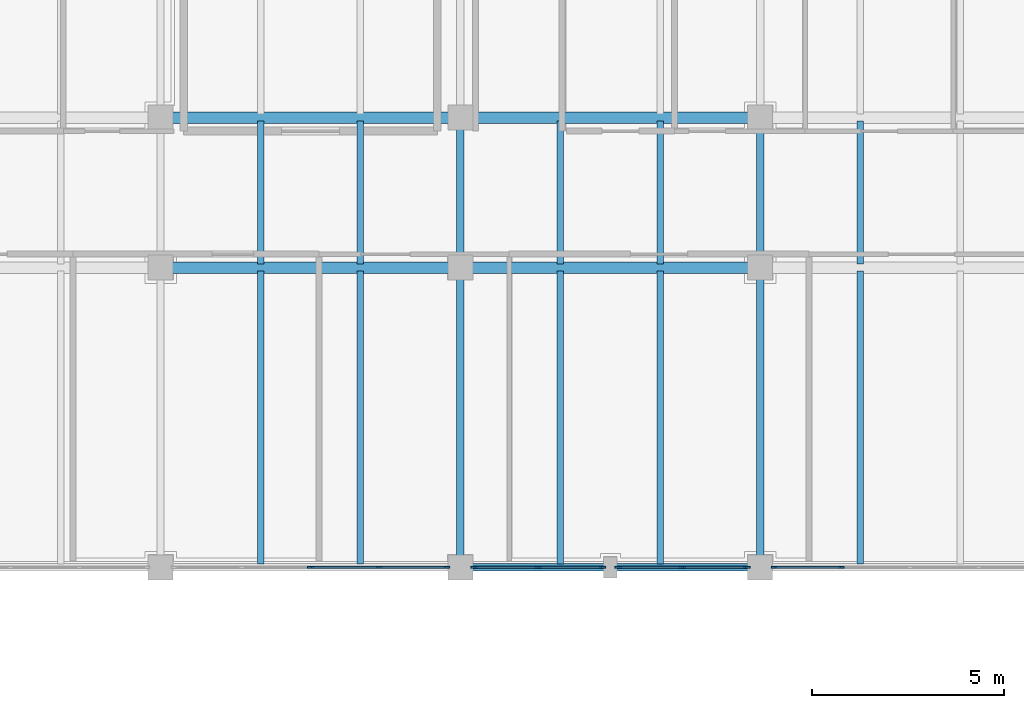
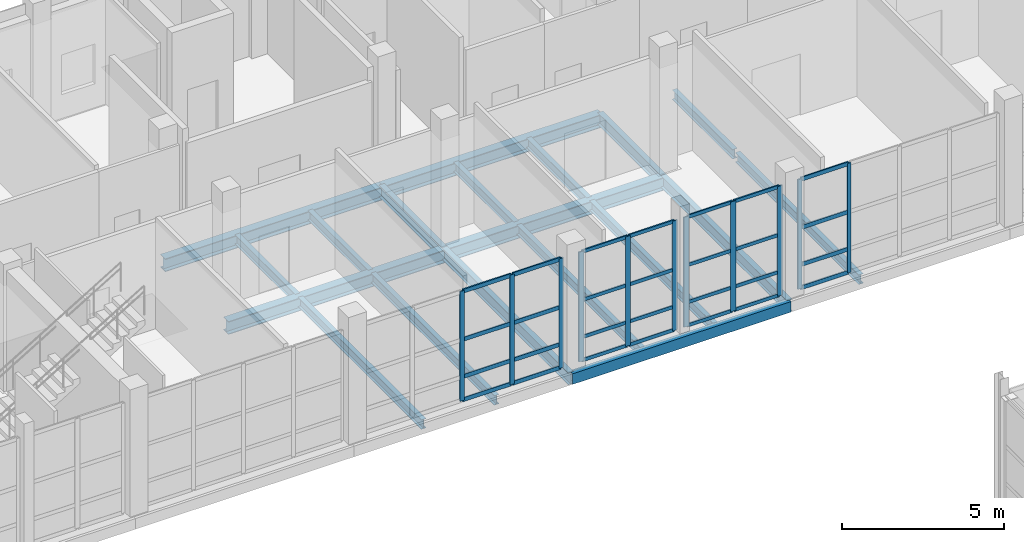
# One storey, part 57 of 131: 39 members, 19 beams, 4 elements without a shape of their own.
"""IFC4 building model written with IfcOpenShell, lengths in metres."""

from ifc_helpers import new_model, si_unit, direction, frame, origin, origin_2d, place, context, subcontext, project, spatial, rectangle, hollow_rectangle, i_section, extrude, material, layer, layer_set, material_profile, profile_set, type_object, element, aggregate, save


model = new_model("IFC4")

# Units and contexts
model_context = context("Model", 3, precision=1e-05, world=origin(), true_north=direction((0.0, 1.0)))
body_context = subcontext(model_context, "Body", "Model", "MODEL_VIEW")
ifc_project = project(units=[si_unit("LENGTHUNIT", "METRE"), si_unit("AREAUNIT", "SQUARE_METRE"), si_unit("VOLUMEUNIT", "CUBIC_METRE"), si_unit("PLANEANGLEUNIT", "RADIAN"), si_unit("MASSUNIT", "GRAM", prefix="KILO")], contexts=[model_context])

# Site, building, storey
site_placement = place(None, origin())
site = spatial("IfcSite", under=ifc_project, at=site_placement, CompositionType="ELEMENT")
building_placement = place(site_placement, origin())
building = spatial("IfcBuilding", under=site, at=building_placement, Name="Celorna Specialist Clinic", CompositionType="ELEMENT")
storey_placement = place(building_placement, origin())
storey = spatial("IfcBuildingStorey", under=building, at=storey_placement, Name="L00", CompositionType="ELEMENT", Elevation=0.0)

# Beams
ifc_material_1 = material(Name="Steel S355", Category="steel")
ifc_material_profile_1 = material_profile(ifc_material_1, i_section(OverallWidth=0.18994140625, OverallDepth=0.449951171875, WebThickness=0.009521484375, FlangeThickness=0.0146484375, at=origin_2d()), Name="IPE 450")
ifc_profile_set_1 = profile_set([ifc_material_profile_1], Name="Steel S355")
beam_type_1 = type_object("IfcBeamType", Name="BM-09", PredefinedType="BEAM", material=ifc_profile_set_1)
beam_1_placement = place(storey_placement, frame((117.0, 96.5, -0.52490234375), z_axis=(0.0, 1.0, 0.0), x_axis=(-1.0, 0.0, 0.0)))
element("IfcBeam", 1, at=beam_1_placement, inside=storey, type_object=beam_type_1, Name="Transverse girder BM-09 #757", PredefinedType="BEAM", context=body_context, shape_type="SweptSolid", body=[
    extrude(i_section(OverallWidth=0.18994140625, OverallDepth=0.449951171875, WebThickness=0.009521484375, FlangeThickness=0.0146484375, at=origin_2d()), origin(), (0.0, 0.0, 1.0), 7.800048828125),
])
beam_2_placement = place(storey_placement, frame((117.0, 104.300048828125, -0.52490234375), z_axis=(0.0, 1.0, 0.0), x_axis=(-1.0, 0.0, 0.0)))
element("IfcBeam", 2, at=beam_2_placement, inside=storey, type_object=beam_type_1, Name="Transverse girder BM-09 #758", PredefinedType="BEAM", context=body_context, shape_type="SweptSolid", body=[
    extrude(i_section(OverallWidth=0.18994140625, OverallDepth=0.449951171875, WebThickness=0.009521484375, FlangeThickness=0.0146484375, at=origin_2d()), origin(), (0.0, 0.0, 1.0), 3.89990234375),
])
beam_3_placement = place(storey_placement, frame((124.800048828125, 96.5, -0.52490234375), z_axis=(0.0, 1.0, 0.0), x_axis=(-1.0, 0.0, 0.0)))
element("IfcBeam", 3, at=beam_3_placement, inside=storey, type_object=beam_type_1, Name="Transverse girder BM-09 #760", PredefinedType="BEAM", context=body_context, shape_type="SweptSolid", body=[
    extrude(i_section(OverallWidth=0.18994140625, OverallDepth=0.449951171875, WebThickness=0.009521484375, FlangeThickness=0.0146484375, at=origin_2d()), origin(), (0.0, 0.0, 1.0), 7.800048828125),
])
beam_4_placement = place(storey_placement, frame((124.800048828125, 104.300048828125, -0.52490234375), z_axis=(0.0, 1.0, 0.0), x_axis=(-1.0, 0.0, 0.0)))
element("IfcBeam", 4, at=beam_4_placement, inside=storey, type_object=beam_type_1, Name="Transverse girder BM-09 #761", PredefinedType="BEAM", context=body_context, shape_type="SweptSolid", body=[
    extrude(i_section(OverallWidth=0.18994140625, OverallDepth=0.449951171875, WebThickness=0.009521484375, FlangeThickness=0.0146484375, at=origin_2d()), origin(), (0.0, 0.0, 1.0), 3.89990234375),
])
ifc_material_profile_2 = material_profile(ifc_material_1, i_section(OverallWidth=0.169921875, OverallDepth=0.360107421875, WebThickness=0.008056640625, FlangeThickness=0.0126953125, at=origin_2d()), Name="IPE 360")
ifc_profile_set_2 = profile_set([ifc_material_profile_2], Name="Steel S355")
beam_type_2 = type_object("IfcBeamType", Name="BM-11", PredefinedType="JOIST", material=ifc_profile_set_2)
for number, where, z_axis, x_axis, name in (
    (5, (111.800048828125, 96.587890625, -0.47998046875), (0.0, 1.0, 0.0), (-1.0, 0.0, 0.0), "Secondary floor joist BM-11 #825"),
    (6, (114.39990234375, 96.587890625, -0.47998046875), (0.0, 1.0, 0.0), (-1.0, 0.0, 0.0), "Secondary floor joist BM-11 #826"),
):
    element("IfcBeam", number, at=place(storey_placement, frame(where, z_axis=z_axis, x_axis=x_axis)), inside=storey, type_object=beam_type_2, Name=name, PredefinedType="JOIST", context=body_context, shape_type="SweptSolid", body=[
        extrude(i_section(OverallWidth=0.169921875, OverallDepth=0.360107421875, WebThickness=0.008056640625, FlangeThickness=0.0126953125, at=origin_2d()), origin(), (0.0, 0.0, 1.0), 7.6240234375),
    ])
for number, where, z_axis, x_axis, name in (
    (7, (111.800048828125, 104.387939453125, -0.47998046875), (0.0, 1.0, 0.0), (-1.0, 0.0, 0.0), "Secondary floor joist BM-11 #827"),
    (8, (114.39990234375, 104.387939453125, -0.47998046875), (0.0, 1.0, 0.0), (-1.0, 0.0, 0.0), "Secondary floor joist BM-11 #828"),
):
    element("IfcBeam", number, at=place(storey_placement, frame(where, z_axis=z_axis, x_axis=x_axis)), inside=storey, type_object=beam_type_2, Name=name, PredefinedType="JOIST", context=body_context, shape_type="SweptSolid", body=[
        extrude(i_section(OverallWidth=0.169921875, OverallDepth=0.360107421875, WebThickness=0.008056640625, FlangeThickness=0.0126953125, at=origin_2d()), origin(), (0.0, 0.0, 1.0), 3.72412109375),
    ])
for number, where, z_axis, x_axis, name in (
    (9, (119.60009765625, 96.587890625, -0.47998046875), (0.0, 1.0, 0.0), (-1.0, 0.0, 0.0), "Secondary floor joist BM-11 #831"),
    (10, (122.199951171875, 96.587890625, -0.47998046875), (0.0, 1.0, 0.0), (-1.0, 0.0, 0.0), "Secondary floor joist BM-11 #832"),
):
    element("IfcBeam", number, at=place(storey_placement, frame(where, z_axis=z_axis, x_axis=x_axis)), inside=storey, type_object=beam_type_2, Name=name, PredefinedType="JOIST", context=body_context, shape_type="SweptSolid", body=[
        extrude(i_section(OverallWidth=0.169921875, OverallDepth=0.360107421875, WebThickness=0.008056640625, FlangeThickness=0.0126953125, at=origin_2d()), origin(), (0.0, 0.0, 1.0), 7.6240234375),
    ])
for number, where, z_axis, x_axis, name in (
    (11, (119.60009765625, 104.387939453125, -0.47998046875), (0.0, 1.0, 0.0), (-1.0, 0.0, 0.0), "Secondary floor joist BM-11 #833"),
    (12, (122.199951171875, 104.387939453125, -0.47998046875), (0.0, 1.0, 0.0), (-1.0, 0.0, 0.0), "Secondary floor joist BM-11 #834"),
):
    element("IfcBeam", number, at=place(storey_placement, frame(where, z_axis=z_axis, x_axis=x_axis)), inside=storey, type_object=beam_type_2, Name=name, PredefinedType="JOIST", context=body_context, shape_type="SweptSolid", body=[
        extrude(i_section(OverallWidth=0.169921875, OverallDepth=0.360107421875, WebThickness=0.008056640625, FlangeThickness=0.0126953125, at=origin_2d()), origin(), (0.0, 0.0, 1.0), 3.72412109375),
    ])
beam_5_placement = place(storey_placement, frame((127.39990234375, 96.587890625, -0.47998046875), z_axis=(0.0, 1.0, 0.0), x_axis=(-1.0, 0.0, 0.0)))
element("IfcBeam", 13, at=beam_5_placement, inside=storey, type_object=beam_type_2, Name="Secondary floor joist BM-11 #836", PredefinedType="JOIST", context=body_context, shape_type="SweptSolid", body=[
    extrude(i_section(OverallWidth=0.169921875, OverallDepth=0.360107421875, WebThickness=0.008056640625, FlangeThickness=0.0126953125, at=origin_2d()), origin(), (0.0, 0.0, 1.0), 7.6240234375),
])
beam_6_placement = place(storey_placement, frame((127.39990234375, 104.387939453125, -0.47998046875), z_axis=(0.0, 1.0, 0.0), x_axis=(-1.0, 0.0, 0.0)))
element("IfcBeam", 14, at=beam_6_placement, inside=storey, type_object=beam_type_2, Name="Secondary floor joist BM-11 #838", PredefinedType="JOIST", context=body_context, shape_type="SweptSolid", body=[
    extrude(i_section(OverallWidth=0.169921875, OverallDepth=0.360107421875, WebThickness=0.008056640625, FlangeThickness=0.0126953125, at=origin_2d()), origin(), (0.0, 0.0, 1.0), 3.72412109375),
])
ifc_material_profile_3 = material_profile(ifc_material_1, hollow_rectangle(XDim=0.199951171875, YDim=0.39990234375, WallThickness=0.011962890625, at=origin_2d()), Name="RHS 200x400x12")
ifc_profile_set_3 = profile_set([ifc_material_profile_3], Name="Steel S355")
beam_type_3 = type_object("IfcBeamType", Name="BM-15", PredefinedType="SPANDREL", material=ifc_profile_set_3)
beam_7_placement = place(storey_placement, frame((117.0, 96.5, -0.5), z_axis=(1.0, 0.0, 0.0), x_axis=(0.0, 1.0, 0.0)))
element("IfcBeam", 15, at=beam_7_placement, inside=storey, type_object=beam_type_3, Name="Spandrel beam BM-15 #675", PredefinedType="SPANDREL", context=body_context, shape_type="SweptSolid", body=[
    extrude(hollow_rectangle(XDim=0.199951171875, YDim=0.39990234375, WallThickness=0.011962890625, at=origin_2d()), origin(), (0.0, 0.0, 1.0), 7.800048828125),
])
ifc_material_profile_4 = material_profile(ifc_material_1, i_section(OverallWidth=0.300048828125, OverallDepth=0.489990234375, WebThickness=0.011962890625, FlangeThickness=0.02294921875, at=origin_2d()), Name="HE 500 A")
ifc_profile_set_4 = profile_set([ifc_material_profile_4], Name="Steel S355")
beam_type_4 = type_object("IfcBeamType", Name="BM-22", PredefinedType="BEAM", material=ifc_profile_set_4)
for number, where, z_axis, x_axis, name in (
    (16, (109.199951171875, 104.300048828125, -0.544921875), (1.0, 0.0, 0.0), (0.0, 1.0, 0.0), "Primary girder BM-22 #690"),
    (17, (117.0, 104.300048828125, -0.544921875), (1.0, 0.0, 0.0), (0.0, 1.0, 0.0), "Primary girder BM-22 #691"),
    (18, (109.199951171875, 108.199951171875, -0.544921875), (1.0, 0.0, 0.0), (0.0, 1.0, 0.0), "Primary girder BM-22 #706"),
    (19, (117.0, 108.199951171875, -0.544921875), (1.0, 0.0, 0.0), (0.0, 1.0, 0.0), "Primary girder BM-22 #707"),
):
    element("IfcBeam", number, at=place(storey_placement, frame(where, z_axis=z_axis, x_axis=x_axis)), inside=storey, type_object=beam_type_4, Name=name, PredefinedType="BEAM", context=body_context, shape_type="SweptSolid", body=[
        extrude(i_section(OverallWidth=0.300048828125, OverallDepth=0.489990234375, WebThickness=0.011962890625, FlangeThickness=0.02294921875, at=origin_2d()), origin(), (0.0, 0.0, 1.0), 7.800048828125),
    ])

# Curtain wall, members
ifc_material_2 = material(Name="Thermally broken aluminium and solar-control glass curtain wall", Category="aluminium")
ifc_layer_1 = layer(ifc_material_2, 0.159912109375, Name="Thermally broken aluminium and solar-control glass curtain wall")
ifc_layer_set_1 = layer_set([ifc_layer_1], Name="Thermally broken aluminium and solar-control glass curtain wall")
curtain_wall_type_1 = type_object("IfcCurtainWallType", Name="CW-48", PredefinedType="NOTDEFINED", material=ifc_layer_set_1)
curtain_wall_1_placement = place(storey_placement, origin())
curtain_wall_1 = element("IfcCurtainWall", 20, at=curtain_wall_1_placement, inside=storey, type_object=curtain_wall_type_1, Name="Curtain wall CW-48 #96", PredefinedType="NOTDEFINED")
ifc_material_3 = material(Name="Anodized aluminium mullion", Category="aluminium")
ifc_material_profile_5 = material_profile(ifc_material_3, rectangle(XDim=0.050048828125, YDim=0.159912109375, at=origin_2d()), Name="ALU MULLION 50x160")
ifc_profile_set_5 = profile_set([ifc_material_profile_5], Name="Anodized aluminium mullion")
member_type_1 = type_object("IfcMemberType", Name="ML-01", PredefinedType="MULLION", material=ifc_profile_set_5)
member_1_placement = place(storey_placement, frame((116.64599609375, 96.5, 0.0), z_axis=(0.0, 0.0, 1.0), x_axis=(0.0, -1.0, 0.0)))
member_1 = element("IfcMember", 21, at=member_1_placement, type_object=member_type_1, Name="CW-48 mullion 1", PredefinedType="MULLION", context=body_context, shape_type="SweptSolid", body=[
    extrude(rectangle(XDim=0.050048828125, YDim=0.159912109375, at=origin_2d()), origin(), (0.0, 0.0, 1.0), 4.139892578125),
])
member_2_placement = place(storey_placement, frame((114.885498046875, 96.5, 0.0), z_axis=(0.0, 0.0, 1.0), x_axis=(0.0, -1.0, 0.0)))
member_2 = element("IfcMember", 22, at=member_2_placement, type_object=member_type_1, Name="CW-48 mullion 2", PredefinedType="MULLION", context=body_context, shape_type="SweptSolid", body=[
    extrude(rectangle(XDim=0.050048828125, YDim=0.159912109375, at=origin_2d()), origin(), (0.0, 0.0, 1.0), 4.139892578125),
])
member_3_placement = place(storey_placement, frame((113.10009765625, 96.5, 0.0), z_axis=(0.0, 0.0, 1.0), x_axis=(0.0, -1.0, 0.0)))
member_3 = element("IfcMember", 23, at=member_3_placement, type_object=member_type_1, Name="CW-48 mullion 3", PredefinedType="MULLION", context=body_context, shape_type="SweptSolid", body=[
    extrude(rectangle(XDim=0.050048828125, YDim=0.159912109375, at=origin_2d()), origin(), (0.0, 0.0, 1.0), 4.139892578125),
])

ifc_layer_2 = layer(ifc_material_2, 0.159912109375, Name="Thermally broken aluminium and solar-control glass curtain wall")
ifc_layer_set_2 = layer_set([ifc_layer_2], Name="Thermally broken aluminium and solar-control glass curtain wall")
curtain_wall_type_2 = type_object("IfcCurtainWallType", Name="CW-46", PredefinedType="NOTDEFINED", material=ifc_layer_set_2)
curtain_wall_2_placement = place(storey_placement, origin())
curtain_wall_2 = element("IfcCurtainWall", 24, at=curtain_wall_2_placement, inside=storey, type_object=curtain_wall_type_2, Name="Curtain wall CW-46 #97", PredefinedType="NOTDEFINED")
ifc_material_profile_6 = material_profile(ifc_material_3, rectangle(XDim=0.050048828125, YDim=0.179931640625, at=origin_2d()), Name="ALU MULLION 50x180")
ifc_profile_set_6 = profile_set([ifc_material_profile_6], Name="Anodized aluminium mullion")
member_type_2 = type_object("IfcMemberType", Name="ML-02", PredefinedType="MULLION", material=ifc_profile_set_6)
member_4_placement = place(storey_placement, frame((124.446044921875, 96.5, 0.0), z_axis=(0.0, 0.0, 1.0), x_axis=(0.0, -1.0, 0.0)))
member_4 = element("IfcMember", 25, at=member_4_placement, type_object=member_type_2, Name="CW-46 mullion 1", PredefinedType="MULLION", context=body_context, shape_type="SweptSolid", body=[
    extrude(rectangle(XDim=0.050048828125, YDim=0.179931640625, at=origin_2d()), origin(), (0.0, 0.0, 1.0), 4.139892578125),
])
member_5_placement = place(storey_placement, frame((122.77490234375, 96.5, 0.0), z_axis=(0.0, 0.0, 1.0), x_axis=(0.0, -1.0, 0.0)))
member_5 = element("IfcMember", 26, at=member_5_placement, type_object=member_type_2, Name="CW-46 mullion 2", PredefinedType="MULLION", context=body_context, shape_type="SweptSolid", body=[
    extrude(rectangle(XDim=0.050048828125, YDim=0.179931640625, at=origin_2d()), origin(), (0.0, 0.0, 1.0), 4.139892578125),
])
member_6_placement = place(storey_placement, frame((121.10400390625, 96.5, 0.0), z_axis=(0.0, 0.0, 1.0), x_axis=(0.0, -1.0, 0.0)))
member_6 = element("IfcMember", 27, at=member_6_placement, type_object=member_type_2, Name="CW-46 mullion 3", PredefinedType="MULLION", context=body_context, shape_type="SweptSolid", body=[
    extrude(rectangle(XDim=0.050048828125, YDim=0.179931640625, at=origin_2d()), origin(), (0.0, 0.0, 1.0), 4.139892578125),
])

curtain_wall_3_placement = place(storey_placement, origin())
curtain_wall_3 = element("IfcCurtainWall", 28, at=curtain_wall_3_placement, inside=storey, type_object=curtain_wall_type_2, Name="Curtain wall CW-46 #98", PredefinedType="NOTDEFINED")
member_7_placement = place(storey_placement, frame((120.696044921875, 96.5, 0.0), z_axis=(0.0, 0.0, 1.0), x_axis=(0.0, -1.0, 0.0)))
member_7 = element("IfcMember", 29, at=member_7_placement, type_object=member_type_2, Name="CW-46 mullion 1", PredefinedType="MULLION", context=body_context, shape_type="SweptSolid", body=[
    extrude(rectangle(XDim=0.050048828125, YDim=0.179931640625, at=origin_2d()), origin(), (0.0, 0.0, 1.0), 4.139892578125),
])
member_8_placement = place(storey_placement, frame((119.02490234375, 96.5, 0.0), z_axis=(0.0, 0.0, 1.0), x_axis=(0.0, -1.0, 0.0)))
member_8 = element("IfcMember", 30, at=member_8_placement, type_object=member_type_2, Name="CW-46 mullion 2", PredefinedType="MULLION", context=body_context, shape_type="SweptSolid", body=[
    extrude(rectangle(XDim=0.050048828125, YDim=0.179931640625, at=origin_2d()), origin(), (0.0, 0.0, 1.0), 4.139892578125),
])
member_9_placement = place(storey_placement, frame((117.35400390625, 96.5, 0.0), z_axis=(0.0, 0.0, 1.0), x_axis=(0.0, -1.0, 0.0)))
member_9 = element("IfcMember", 31, at=member_9_placement, type_object=member_type_2, Name="CW-46 mullion 3", PredefinedType="MULLION", context=body_context, shape_type="SweptSolid", body=[
    extrude(rectangle(XDim=0.050048828125, YDim=0.179931640625, at=origin_2d()), origin(), (0.0, 0.0, 1.0), 4.139892578125),
])

ifc_layer_3 = layer(ifc_material_2, 0.159912109375, Name="Thermally broken aluminium and solar-control glass curtain wall")
ifc_layer_set_3 = layer_set([ifc_layer_3], Name="Thermally broken aluminium and solar-control glass curtain wall")
curtain_wall_type_3 = type_object("IfcCurtainWallType", Name="CW-47", PredefinedType="NOTDEFINED", material=ifc_layer_set_3)
curtain_wall_4_placement = place(storey_placement, origin())
curtain_wall_4 = element("IfcCurtainWall", 32, at=curtain_wall_4_placement, inside=storey, type_object=curtain_wall_type_3, Name="Curtain wall CW-47 #99", PredefinedType="NOTDEFINED")
ifc_material_profile_7 = material_profile(ifc_material_3, rectangle(XDim=0.050048828125, YDim=0.139892578125, at=origin_2d()), Name="ALU MULLION 50x140")
ifc_profile_set_7 = profile_set([ifc_material_profile_7], Name="Anodized aluminium mullion")
member_type_3 = type_object("IfcMemberType", Name="ML-03", PredefinedType="MULLION", material=ifc_profile_set_7)
member_10_placement = place(storey_placement, frame((126.91455078125, 96.5, 0.0), z_axis=(0.0, 0.0, 1.0), x_axis=(0.0, -1.0, 0.0)))
member_10 = element("IfcMember", 33, at=member_10_placement, type_object=member_type_3, Name="CW-47 mullion 4", PredefinedType="MULLION", context=body_context, shape_type="SweptSolid", body=[
    extrude(rectangle(XDim=0.050048828125, YDim=0.139892578125, at=origin_2d()), origin(), (0.0, 0.0, 1.0), 4.139892578125),
])
member_11_placement = place(storey_placement, frame((125.154052734375, 96.5, 0.0), z_axis=(0.0, 0.0, 1.0), x_axis=(0.0, -1.0, 0.0)))
member_11 = element("IfcMember", 34, at=member_11_placement, type_object=member_type_3, Name="CW-47 mullion 5", PredefinedType="MULLION", context=body_context, shape_type="SweptSolid", body=[
    extrude(rectangle(XDim=0.050048828125, YDim=0.139892578125, at=origin_2d()), origin(), (0.0, 0.0, 1.0), 4.139892578125),
])

# Member
ifc_material_4 = material(Name="Anodized aluminium transom", Category="aluminium")
ifc_material_profile_8 = material_profile(ifc_material_4, rectangle(XDim=0.050048828125, YDim=0.1298828125, at=origin_2d()), Name="ALU TRANSOM 50x130")
ifc_profile_set_8 = profile_set([ifc_material_profile_8], Name="Anodized aluminium transom")
member_type_4 = type_object("IfcMemberType", Name="TR-01", PredefinedType="USERDEFINED", material=ifc_profile_set_8)
member_12_placement = place(storey_placement, frame((124.4208984375, 96.5, 0.02490234375), z_axis=(-1.0, 0.0, 0.0), x_axis=(0.0, -1.0, 0.0)))
member_12 = element("IfcMember", 35, at=member_12_placement, type_object=member_type_4, Name="CW-46 transom 1.1", ObjectType="TRANSOM", PredefinedType="USERDEFINED", context=body_context, shape_type="SweptSolid", body=[
    extrude(rectangle(XDim=0.050048828125, YDim=0.1298828125, at=origin_2d()), origin(), (0.0, 0.0, 1.0), 1.620849609375),
])

member_13_placement = place(storey_placement, frame((124.4208984375, 96.5, 0.89990234375), z_axis=(-1.0, 0.0, 0.0), x_axis=(0.0, -1.0, 0.0)))
member_13 = element("IfcMember", 36, at=member_13_placement, type_object=member_type_4, Name="CW-46 transom 1.2", ObjectType="TRANSOM", PredefinedType="USERDEFINED", context=body_context, shape_type="SweptSolid", body=[
    extrude(rectangle(XDim=0.050048828125, YDim=0.1298828125, at=origin_2d()), origin(), (0.0, 0.0, 1.0), 1.620849609375),
])

member_14_placement = place(storey_placement, frame((124.4208984375, 96.5, 2.300048828125), z_axis=(-1.0, 0.0, 0.0), x_axis=(0.0, -1.0, 0.0)))
member_14 = element("IfcMember", 37, at=member_14_placement, type_object=member_type_4, Name="CW-46 transom 1.3", ObjectType="TRANSOM", PredefinedType="USERDEFINED", context=body_context, shape_type="SweptSolid", body=[
    extrude(rectangle(XDim=0.050048828125, YDim=0.1298828125, at=origin_2d()), origin(), (0.0, 0.0, 1.0), 1.620849609375),
])

member_15_placement = place(storey_placement, frame((124.4208984375, 96.5, 4.114990234375), z_axis=(-1.0, 0.0, 0.0), x_axis=(0.0, -1.0, 0.0)))
member_15 = element("IfcMember", 38, at=member_15_placement, type_object=member_type_4, Name="CW-46 transom 1.4", ObjectType="TRANSOM", PredefinedType="USERDEFINED", context=body_context, shape_type="SweptSolid", body=[
    extrude(rectangle(XDim=0.050048828125, YDim=0.1298828125, at=origin_2d()), origin(), (0.0, 0.0, 1.0), 1.620849609375),
])

member_16_placement = place(storey_placement, frame((122.75, 96.5, 0.02490234375), z_axis=(-1.0, 0.0, 0.0), x_axis=(0.0, -1.0, 0.0)))
member_16 = element("IfcMember", 39, at=member_16_placement, type_object=member_type_4, Name="CW-46 transom 2.1", ObjectType="TRANSOM", PredefinedType="USERDEFINED", context=body_context, shape_type="SweptSolid", body=[
    extrude(rectangle(XDim=0.050048828125, YDim=0.1298828125, at=origin_2d()), origin(), (0.0, 0.0, 1.0), 1.62109375),
])

member_17_placement = place(storey_placement, frame((122.75, 96.5, 0.89990234375), z_axis=(-1.0, 0.0, 0.0), x_axis=(0.0, -1.0, 0.0)))
member_17 = element("IfcMember", 40, at=member_17_placement, type_object=member_type_4, Name="CW-46 transom 2.2", ObjectType="TRANSOM", PredefinedType="USERDEFINED", context=body_context, shape_type="SweptSolid", body=[
    extrude(rectangle(XDim=0.050048828125, YDim=0.1298828125, at=origin_2d()), origin(), (0.0, 0.0, 1.0), 1.62109375),
])

member_18_placement = place(storey_placement, frame((122.75, 96.5, 2.300048828125), z_axis=(-1.0, 0.0, 0.0), x_axis=(0.0, -1.0, 0.0)))
member_18 = element("IfcMember", 41, at=member_18_placement, type_object=member_type_4, Name="CW-46 transom 2.3", ObjectType="TRANSOM", PredefinedType="USERDEFINED", context=body_context, shape_type="SweptSolid", body=[
    extrude(rectangle(XDim=0.050048828125, YDim=0.1298828125, at=origin_2d()), origin(), (0.0, 0.0, 1.0), 1.62109375),
])

member_19_placement = place(storey_placement, frame((122.75, 96.5, 4.114990234375), z_axis=(-1.0, 0.0, 0.0), x_axis=(0.0, -1.0, 0.0)))
member_19 = element("IfcMember", 42, at=member_19_placement, type_object=member_type_4, Name="CW-46 transom 2.4", ObjectType="TRANSOM", PredefinedType="USERDEFINED", context=body_context, shape_type="SweptSolid", body=[
    extrude(rectangle(XDim=0.050048828125, YDim=0.1298828125, at=origin_2d()), origin(), (0.0, 0.0, 1.0), 1.62109375),
])

aggregate(curtain_wall_2, [member_4, member_5, member_6, member_12, member_13, member_14, member_15, member_16, member_17, member_18, member_19])

member_20_placement = place(storey_placement, frame((120.6708984375, 96.5, 0.02490234375), z_axis=(-1.0, 0.0, 0.0), x_axis=(0.0, -1.0, 0.0)))
member_20 = element("IfcMember", 43, at=member_20_placement, type_object=member_type_4, Name="CW-46 transom 1.1", ObjectType="TRANSOM", PredefinedType="USERDEFINED", context=body_context, shape_type="SweptSolid", body=[
    extrude(rectangle(XDim=0.050048828125, YDim=0.1298828125, at=origin_2d()), origin(), (0.0, 0.0, 1.0), 1.620849609375),
])

member_21_placement = place(storey_placement, frame((120.6708984375, 96.5, 0.89990234375), z_axis=(-1.0, 0.0, 0.0), x_axis=(0.0, -1.0, 0.0)))
member_21 = element("IfcMember", 44, at=member_21_placement, type_object=member_type_4, Name="CW-46 transom 1.2", ObjectType="TRANSOM", PredefinedType="USERDEFINED", context=body_context, shape_type="SweptSolid", body=[
    extrude(rectangle(XDim=0.050048828125, YDim=0.1298828125, at=origin_2d()), origin(), (0.0, 0.0, 1.0), 1.620849609375),
])

member_22_placement = place(storey_placement, frame((120.6708984375, 96.5, 2.300048828125), z_axis=(-1.0, 0.0, 0.0), x_axis=(0.0, -1.0, 0.0)))
member_22 = element("IfcMember", 45, at=member_22_placement, type_object=member_type_4, Name="CW-46 transom 1.3", ObjectType="TRANSOM", PredefinedType="USERDEFINED", context=body_context, shape_type="SweptSolid", body=[
    extrude(rectangle(XDim=0.050048828125, YDim=0.1298828125, at=origin_2d()), origin(), (0.0, 0.0, 1.0), 1.620849609375),
])

member_23_placement = place(storey_placement, frame((120.6708984375, 96.5, 4.114990234375), z_axis=(-1.0, 0.0, 0.0), x_axis=(0.0, -1.0, 0.0)))
member_23 = element("IfcMember", 46, at=member_23_placement, type_object=member_type_4, Name="CW-46 transom 1.4", ObjectType="TRANSOM", PredefinedType="USERDEFINED", context=body_context, shape_type="SweptSolid", body=[
    extrude(rectangle(XDim=0.050048828125, YDim=0.1298828125, at=origin_2d()), origin(), (0.0, 0.0, 1.0), 1.620849609375),
])

member_24_placement = place(storey_placement, frame((119.0, 96.5, 0.02490234375), z_axis=(-1.0, 0.0, 0.0), x_axis=(0.0, -1.0, 0.0)))
member_24 = element("IfcMember", 47, at=member_24_placement, type_object=member_type_4, Name="CW-46 transom 2.1", ObjectType="TRANSOM", PredefinedType="USERDEFINED", context=body_context, shape_type="SweptSolid", body=[
    extrude(rectangle(XDim=0.050048828125, YDim=0.1298828125, at=origin_2d()), origin(), (0.0, 0.0, 1.0), 1.62109375),
])

member_25_placement = place(storey_placement, frame((119.0, 96.5, 0.89990234375), z_axis=(-1.0, 0.0, 0.0), x_axis=(0.0, -1.0, 0.0)))
member_25 = element("IfcMember", 48, at=member_25_placement, type_object=member_type_4, Name="CW-46 transom 2.2", ObjectType="TRANSOM", PredefinedType="USERDEFINED", context=body_context, shape_type="SweptSolid", body=[
    extrude(rectangle(XDim=0.050048828125, YDim=0.1298828125, at=origin_2d()), origin(), (0.0, 0.0, 1.0), 1.62109375),
])

member_26_placement = place(storey_placement, frame((119.0, 96.5, 2.300048828125), z_axis=(-1.0, 0.0, 0.0), x_axis=(0.0, -1.0, 0.0)))
member_26 = element("IfcMember", 49, at=member_26_placement, type_object=member_type_4, Name="CW-46 transom 2.3", ObjectType="TRANSOM", PredefinedType="USERDEFINED", context=body_context, shape_type="SweptSolid", body=[
    extrude(rectangle(XDim=0.050048828125, YDim=0.1298828125, at=origin_2d()), origin(), (0.0, 0.0, 1.0), 1.62109375),
])

member_27_placement = place(storey_placement, frame((119.0, 96.5, 4.114990234375), z_axis=(-1.0, 0.0, 0.0), x_axis=(0.0, -1.0, 0.0)))
member_27 = element("IfcMember", 50, at=member_27_placement, type_object=member_type_4, Name="CW-46 transom 2.4", ObjectType="TRANSOM", PredefinedType="USERDEFINED", context=body_context, shape_type="SweptSolid", body=[
    extrude(rectangle(XDim=0.050048828125, YDim=0.1298828125, at=origin_2d()), origin(), (0.0, 0.0, 1.0), 1.62109375),
])

aggregate(curtain_wall_3, [member_7, member_8, member_9, member_20, member_21, member_22, member_23, member_24, member_25, member_26, member_27])

ifc_material_profile_9 = material_profile(ifc_material_4, rectangle(XDim=0.050048828125, YDim=0.14990234375, at=origin_2d()), Name="ALU TRANSOM 50x150")
ifc_profile_set_9 = profile_set([ifc_material_profile_9], Name="Anodized aluminium transom")
member_type_5 = type_object("IfcMemberType", Name="TR-02", PredefinedType="USERDEFINED", material=ifc_profile_set_9)
member_28_placement = place(storey_placement, frame((116.62109375, 96.5, 0.02490234375), z_axis=(-1.0, 0.0, 0.0), x_axis=(0.0, -1.0, 0.0)))
member_28 = element("IfcMember", 51, at=member_28_placement, type_object=member_type_5, Name="CW-48 transom 1.1", ObjectType="TRANSOM", PredefinedType="USERDEFINED", context=body_context, shape_type="SweptSolid", body=[
    extrude(rectangle(XDim=0.050048828125, YDim=0.14990234375, at=origin_2d()), origin(), (0.0, 0.0, 1.0), 1.710693359375),
])

member_29_placement = place(storey_placement, frame((116.62109375, 96.5, 0.89990234375), z_axis=(-1.0, 0.0, 0.0), x_axis=(0.0, -1.0, 0.0)))
member_29 = element("IfcMember", 52, at=member_29_placement, type_object=member_type_5, Name="CW-48 transom 1.2", ObjectType="TRANSOM", PredefinedType="USERDEFINED", context=body_context, shape_type="SweptSolid", body=[
    extrude(rectangle(XDim=0.050048828125, YDim=0.14990234375, at=origin_2d()), origin(), (0.0, 0.0, 1.0), 1.710693359375),
])

member_30_placement = place(storey_placement, frame((116.62109375, 96.5, 2.300048828125), z_axis=(-1.0, 0.0, 0.0), x_axis=(0.0, -1.0, 0.0)))
member_30 = element("IfcMember", 53, at=member_30_placement, type_object=member_type_5, Name="CW-48 transom 1.3", ObjectType="TRANSOM", PredefinedType="USERDEFINED", context=body_context, shape_type="SweptSolid", body=[
    extrude(rectangle(XDim=0.050048828125, YDim=0.14990234375, at=origin_2d()), origin(), (0.0, 0.0, 1.0), 1.710693359375),
])

member_31_placement = place(storey_placement, frame((116.62109375, 96.5, 4.114990234375), z_axis=(-1.0, 0.0, 0.0), x_axis=(0.0, -1.0, 0.0)))
member_31 = element("IfcMember", 54, at=member_31_placement, type_object=member_type_5, Name="CW-48 transom 1.4", ObjectType="TRANSOM", PredefinedType="USERDEFINED", context=body_context, shape_type="SweptSolid", body=[
    extrude(rectangle(XDim=0.050048828125, YDim=0.14990234375, at=origin_2d()), origin(), (0.0, 0.0, 1.0), 1.710693359375),
])

member_32_placement = place(storey_placement, frame((114.860595703125, 96.5, 0.02490234375), z_axis=(-1.0, 0.0, 0.0), x_axis=(0.0, -1.0, 0.0)))
member_32 = element("IfcMember", 55, at=member_32_placement, type_object=member_type_5, Name="CW-48 transom 2.1", ObjectType="TRANSOM", PredefinedType="USERDEFINED", context=body_context, shape_type="SweptSolid", body=[
    extrude(rectangle(XDim=0.050048828125, YDim=0.14990234375, at=origin_2d()), origin(), (0.0, 0.0, 1.0), 1.735595703125),
])

member_33_placement = place(storey_placement, frame((114.860595703125, 96.5, 0.89990234375), z_axis=(-1.0, 0.0, 0.0), x_axis=(0.0, -1.0, 0.0)))
member_33 = element("IfcMember", 56, at=member_33_placement, type_object=member_type_5, Name="CW-48 transom 2.2", ObjectType="TRANSOM", PredefinedType="USERDEFINED", context=body_context, shape_type="SweptSolid", body=[
    extrude(rectangle(XDim=0.050048828125, YDim=0.14990234375, at=origin_2d()), origin(), (0.0, 0.0, 1.0), 1.735595703125),
])

member_34_placement = place(storey_placement, frame((114.860595703125, 96.5, 2.300048828125), z_axis=(-1.0, 0.0, 0.0), x_axis=(0.0, -1.0, 0.0)))
member_34 = element("IfcMember", 57, at=member_34_placement, type_object=member_type_5, Name="CW-48 transom 2.3", ObjectType="TRANSOM", PredefinedType="USERDEFINED", context=body_context, shape_type="SweptSolid", body=[
    extrude(rectangle(XDim=0.050048828125, YDim=0.14990234375, at=origin_2d()), origin(), (0.0, 0.0, 1.0), 1.735595703125),
])

member_35_placement = place(storey_placement, frame((114.860595703125, 96.5, 4.114990234375), z_axis=(-1.0, 0.0, 0.0), x_axis=(0.0, -1.0, 0.0)))
member_35 = element("IfcMember", 58, at=member_35_placement, type_object=member_type_5, Name="CW-48 transom 2.4", ObjectType="TRANSOM", PredefinedType="USERDEFINED", context=body_context, shape_type="SweptSolid", body=[
    extrude(rectangle(XDim=0.050048828125, YDim=0.14990234375, at=origin_2d()), origin(), (0.0, 0.0, 1.0), 1.735595703125),
])

aggregate(curtain_wall_1, [member_1, member_2, member_3, member_28, member_29, member_30, member_31, member_32, member_33, member_34, member_35])

member_36_placement = place(storey_placement, frame((126.889404296875, 96.5, 0.02490234375), z_axis=(-1.0, 0.0, 0.0), x_axis=(0.0, -1.0, 0.0)))
member_36 = element("IfcMember", 59, at=member_36_placement, type_object=member_type_5, Name="CW-47 transom 4.1", ObjectType="TRANSOM", PredefinedType="USERDEFINED", context=body_context, shape_type="SweptSolid", body=[
    extrude(rectangle(XDim=0.050048828125, YDim=0.14990234375, at=origin_2d()), origin(), (0.0, 0.0, 1.0), 1.71044921875),
])

member_37_placement = place(storey_placement, frame((126.889404296875, 96.5, 0.89990234375), z_axis=(-1.0, 0.0, 0.0), x_axis=(0.0, -1.0, 0.0)))
member_37 = element("IfcMember", 60, at=member_37_placement, type_object=member_type_5, Name="CW-47 transom 4.2", ObjectType="TRANSOM", PredefinedType="USERDEFINED", context=body_context, shape_type="SweptSolid", body=[
    extrude(rectangle(XDim=0.050048828125, YDim=0.14990234375, at=origin_2d()), origin(), (0.0, 0.0, 1.0), 1.71044921875),
])

member_38_placement = place(storey_placement, frame((126.889404296875, 96.5, 2.300048828125), z_axis=(-1.0, 0.0, 0.0), x_axis=(0.0, -1.0, 0.0)))
member_38 = element("IfcMember", 61, at=member_38_placement, type_object=member_type_5, Name="CW-47 transom 4.3", ObjectType="TRANSOM", PredefinedType="USERDEFINED", context=body_context, shape_type="SweptSolid", body=[
    extrude(rectangle(XDim=0.050048828125, YDim=0.14990234375, at=origin_2d()), origin(), (0.0, 0.0, 1.0), 1.71044921875),
])

member_39_placement = place(storey_placement, frame((126.889404296875, 96.5, 4.114990234375), z_axis=(-1.0, 0.0, 0.0), x_axis=(0.0, -1.0, 0.0)))
member_39 = element("IfcMember", 62, at=member_39_placement, type_object=member_type_5, Name="CW-47 transom 4.4", ObjectType="TRANSOM", PredefinedType="USERDEFINED", context=body_context, shape_type="SweptSolid", body=[
    extrude(rectangle(XDim=0.050048828125, YDim=0.14990234375, at=origin_2d()), origin(), (0.0, 0.0, 1.0), 1.71044921875),
])

aggregate(curtain_wall_4, [member_10, member_11, member_36, member_37, member_38, member_39])

save(model, "model.ifc")
